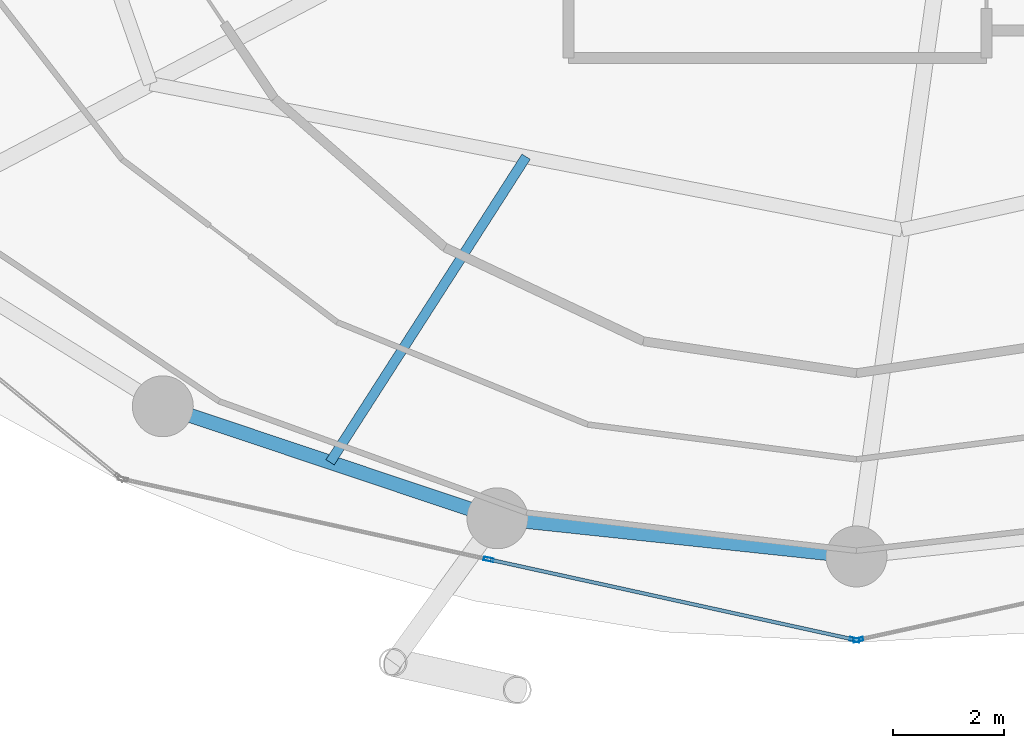
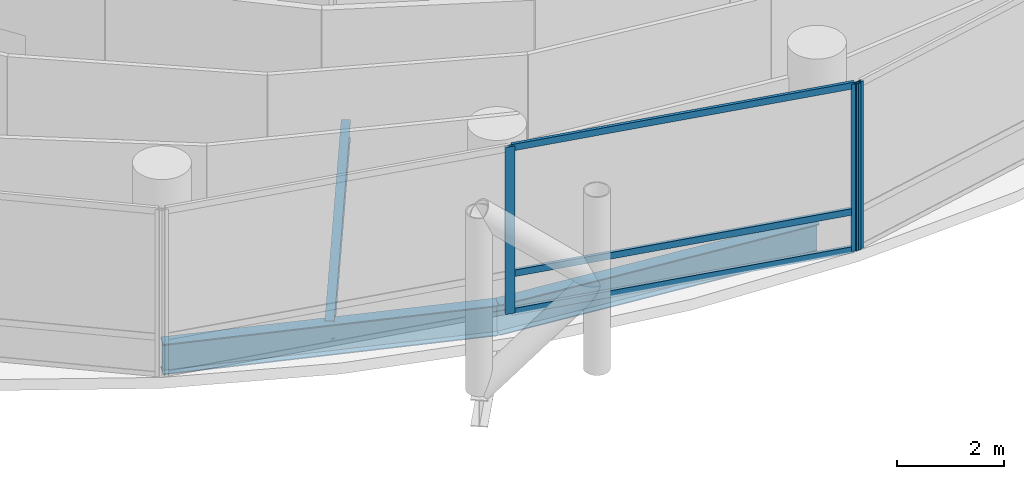
# One storey, part 4 of 26: 6 members, 3 beams, 2 elements without a shape of their own.
"""IFC4 building model written with IfcOpenShell, lengths in metres."""

from ifc_helpers import new_model, si_unit, direction, frame, origin, origin_2d, place, context, subcontext, project, spatial, hollow_rectangle, i_section, extrude, material, layer, layer_set, material_profile, profile_set, type_object, element, aggregate, save


model = new_model("IFC4")

# Units and contexts
model_context = context("Model", 3, precision=1e-05, world=origin(), true_north=direction((0.0, 1.0)))
body_context = subcontext(model_context, "Body", "Model", "MODEL_VIEW")
ifc_project = project(units=[si_unit("LENGTHUNIT", "METRE"), si_unit("AREAUNIT", "SQUARE_METRE"), si_unit("VOLUMEUNIT", "CUBIC_METRE"), si_unit("PLANEANGLEUNIT", "RADIAN"), si_unit("MASSUNIT", "GRAM", prefix="KILO")], contexts=[model_context])

# Site, building, storey
site_placement = place(None, origin())
site = spatial("IfcSite", under=ifc_project, at=site_placement, CompositionType="ELEMENT")
building_placement = place(site_placement, origin())
building = spatial("IfcBuilding", under=site, at=building_placement, Name="Nuhasar Tower", CompositionType="ELEMENT")
storey_placement = place(building_placement, frame((0.0, 0.0, 97.949951171875)))
storey = spatial("IfcBuildingStorey", under=building, at=storey_placement, Name="L23", CompositionType="ELEMENT", Elevation=97.949951171875)

# Beams
ifc_material_1 = material(Name="Steel S355", Category="steel")
ifc_material_profile_1 = material_profile(ifc_material_1, i_section(OverallWidth=0.177978515625, OverallDepth=0.406005859375, WebThickness=0.0078125, FlangeThickness=0.0126953125, at=origin_2d()), Name="W16X40")
ifc_profile_set_1 = profile_set([ifc_material_profile_1], Name="Steel S355")
beam_type_1 = type_object("IfcBeamType", Name="BM-JST-W16X40", PredefinedType="JOIST", material=ifc_profile_set_1)
beam_1_placement = place(storey_placement, frame((33.035888671875, 13.77001953125, -0.452880859375), z_axis=(-0.539944240715, -0.841700788237, 0.0), x_axis=(0.841700788237, -0.539944240715, 0.0)))
element("IfcBeam", 1, at=beam_1_placement, inside=storey, type_object=beam_type_1, Name="L23 Secondary Floor Joist 01", PredefinedType="JOIST", context=body_context, shape_type="SweptSolid", body=[
    extrude(i_section(OverallWidth=0.177978515625, OverallDepth=0.406005859375, WebThickness=0.0078125, FlangeThickness=0.0126953125, at=origin_2d()), origin(), (0.0, 0.0, 1.0), 6.555908203125),
])
ifc_material_profile_2 = material_profile(ifc_material_1, i_section(OverallWidth=0.256103515625, OverallDepth=0.693115234375, WebThickness=0.014404296875, FlangeThickness=0.023681640625, at=origin_2d()), Name="W27X114")
ifc_profile_set_2 = profile_set([ifc_material_profile_2], Name="Steel S355")
beam_type_2 = type_object("IfcBeamType", Name="BM-RING-W27X114", PredefinedType="SPANDREL", material=ifc_profile_set_2)
beam_2_placement = place(storey_placement, frame((26.47509765625, 9.262939453125, -0.596923828125), z_axis=(0.94826097201, -0.317491935271, 0.0), x_axis=(0.317491935271, 0.94826097201, 0.0)))
element("IfcBeam", 2, at=beam_2_placement, inside=storey, type_object=beam_type_2, Name="L23 Perimeter Ring Spandrel 17", PredefinedType="SPANDREL", context=body_context, shape_type="SweptSolid", body=[
    extrude(i_section(OverallWidth=0.256103515625, OverallDepth=0.693115234375, WebThickness=0.014404296875, FlangeThickness=0.023681640625, at=origin_2d()), origin(), (0.0, 0.0, 1.0), 6.37158203125),
])
beam_3_placement = place(storey_placement, frame((32.51708984375, 7.239990234375, -0.596923828125), z_axis=(0.994384554061, -0.105827022286, 0.0), x_axis=(0.105827022286, 0.994384554061, 0.0)))
element("IfcBeam", 3, at=beam_3_placement, inside=storey, type_object=beam_type_2, Name="L23 Perimeter Ring Spandrel 18", PredefinedType="SPANDREL", context=body_context, shape_type="SweptSolid", body=[
    extrude(i_section(OverallWidth=0.256103515625, OverallDepth=0.693115234375, WebThickness=0.014404296875, FlangeThickness=0.023681640625, at=origin_2d()), origin(), (0.0, 0.0, 1.0), 6.51953125),
])

# Curtain wall, members
ifc_material_2 = material(Name="Aluminium 6063-T6", Category="aluminium")
ifc_layer = layer(ifc_material_2, 0.199951171875)
ifc_layer_set = layer_set([ifc_layer], Name="Aluminium 6063-T6")
curtain_wall_type = type_object("IfcCurtainWallType", Name="CW-Z1-OFF", PredefinedType="NOTDEFINED", material=ifc_layer_set)
curtain_wall_1_placement = place(storey_placement, origin())
curtain_wall_1 = element("IfcCurtainWall", 4, at=curtain_wall_1_placement, inside=storey, type_object=curtain_wall_type, Name="L23 Unitised Curtain Wall 09", PredefinedType="NOTDEFINED")
ifc_material_profile_3 = material_profile(ifc_material_2, hollow_rectangle(XDim=0.06494140625, YDim=0.179931640625, WallThickness=0.0048828125, at=origin_2d()), Name="CWM-2")
ifc_profile_set_3 = profile_set([ifc_material_profile_3], Name="Aluminium 6063-T6")
member_type_1 = type_object("IfcMemberType", Name="CW-MUL-S2", PredefinedType="MULLION", material=ifc_profile_set_3)
member_1_placement = place(storey_placement, frame((32.360107421875, 6.49755859375, 0.0), z_axis=(0.0, 0.0, 1.0), x_axis=(0.214398737637, 0.976746221544, 0.0)))
member_1 = element("IfcMember", 5, at=member_1_placement, type_object=member_type_1, Name="CW-Z1 mullion 2", PredefinedType="MULLION", context=body_context, shape_type="SweptSolid", body=[
    extrude(hollow_rectangle(XDim=0.06494140625, YDim=0.179931640625, WallThickness=0.0048828125, at=origin_2d()), origin(), (0.0, 0.0, 1.0), 3.800048828125),
])
member_2_placement = place(storey_placement, frame((38.96826171875, 5.046875, 0.0), z_axis=(0.0, 0.0, 1.0), x_axis=(0.214398737637, 0.976746221544, 0.0)))
member_2 = element("IfcMember", 6, at=member_2_placement, type_object=member_type_1, Name="CW-Z1 mullion 3", PredefinedType="MULLION", context=body_context, shape_type="SweptSolid", body=[
    extrude(hollow_rectangle(XDim=0.06494140625, YDim=0.179931640625, WallThickness=0.0048828125, at=origin_2d()), origin(), (0.0, 0.0, 1.0), 3.800048828125),
])

# Curtain wall, member
curtain_wall_2_placement = place(storey_placement, origin())
curtain_wall_2 = element("IfcCurtainWall", 7, at=curtain_wall_2_placement, inside=storey, type_object=curtain_wall_type, Name="L23 Unitised Curtain Wall 10", PredefinedType="NOTDEFINED")
member_3_placement = place(storey_placement, frame((39.03173828125, 5.046875, 0.0), z_axis=(0.0, 0.0, 1.0), x_axis=(-0.214398737637, 0.976746221544, 0.0)))
member_3 = element("IfcMember", 8, at=member_3_placement, type_object=member_type_1, Name="CW-Z1 mullion 1", PredefinedType="MULLION", context=body_context, shape_type="SweptSolid", body=[
    extrude(hollow_rectangle(XDim=0.06494140625, YDim=0.179931640625, WallThickness=0.0048828125, at=origin_2d()), origin(), (0.0, 0.0, 1.0), 3.800048828125),
])
aggregate(curtain_wall_2, [member_3])

# Member
ifc_material_profile_4 = material_profile(ifc_material_2, hollow_rectangle(XDim=0.06494140625, YDim=0.14990234375, WallThickness=0.00439453125, at=origin_2d()), Name="CWT-2")
ifc_profile_set_4 = profile_set([ifc_material_profile_4], Name="Aluminium 6063-T6")
member_type_2 = type_object("IfcMemberType", Name="CW-TRN-S2", PredefinedType="USERDEFINED", material=ifc_profile_set_4)
member_4_placement = place(storey_placement, frame((32.391845703125, 6.490478515625, 0.032470703125), z_axis=(0.976747879138, -0.214391185916, 0.0), x_axis=(0.214391185916, 0.976747879138, 0.0)))
member_4 = element("IfcMember", 9, at=member_4_placement, type_object=member_type_2, Name="CW-Z1 transom 2.1", ObjectType="TRANSOM", PredefinedType="USERDEFINED", context=body_context, shape_type="SweptSolid", body=[
    extrude(hollow_rectangle(XDim=0.06494140625, YDim=0.14990234375, WallThickness=0.00439453125, at=origin_2d()), origin(), (0.0, 0.0, 1.0), 6.700439453125),
])

member_5_placement = place(storey_placement, frame((32.391845703125, 6.490478515625, 0.900146484375), z_axis=(0.976747879138, -0.214391185916, 0.0), x_axis=(0.214391185916, 0.976747879138, 0.0)))
member_5 = element("IfcMember", 10, at=member_5_placement, type_object=member_type_2, Name="CW-Z1 transom 2.2", ObjectType="TRANSOM", PredefinedType="USERDEFINED", context=body_context, shape_type="SweptSolid", body=[
    extrude(hollow_rectangle(XDim=0.06494140625, YDim=0.14990234375, WallThickness=0.00439453125, at=origin_2d()), origin(), (0.0, 0.0, 1.0), 6.700439453125),
])

member_6_placement = place(storey_placement, frame((32.391845703125, 6.490478515625, 3.767578125), z_axis=(0.976747879138, -0.214391185916, 0.0), x_axis=(0.214391185916, 0.976747879138, 0.0)))
member_6 = element("IfcMember", 11, at=member_6_placement, type_object=member_type_2, Name="CW-Z1 transom 2.3", ObjectType="TRANSOM", PredefinedType="USERDEFINED", context=body_context, shape_type="SweptSolid", body=[
    extrude(hollow_rectangle(XDim=0.06494140625, YDim=0.14990234375, WallThickness=0.00439453125, at=origin_2d()), origin(), (0.0, 0.0, 1.0), 6.700439453125),
])

aggregate(curtain_wall_1, [member_1, member_2, member_4, member_5, member_6])

save(model, "model.ifc")
